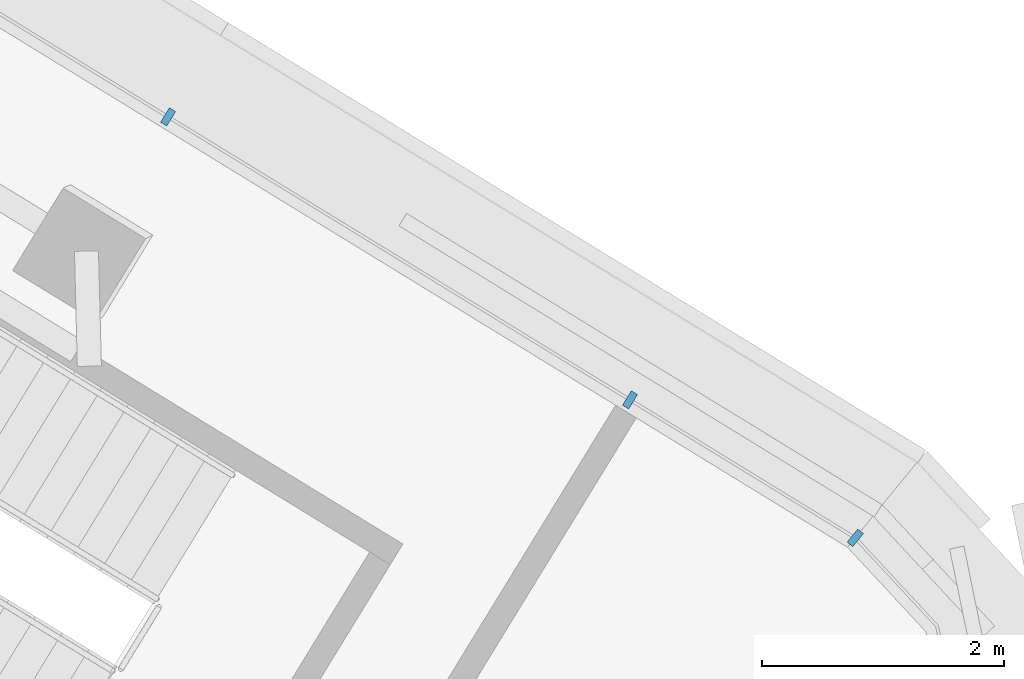
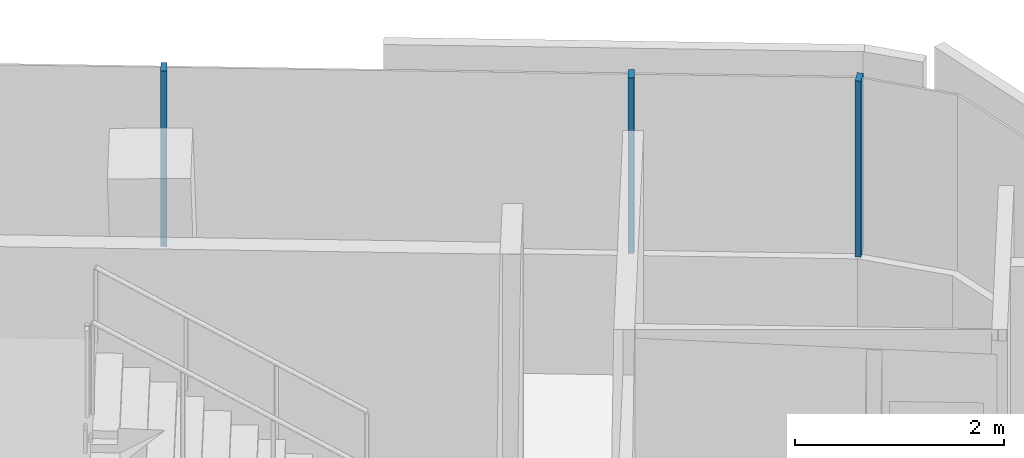
# One storey, part 14 of 27: 3 members, 1 element without a shape of its own.
"""IFC4 building model written with IfcOpenShell, lengths in metres."""

from ifc_helpers import new_model, si_unit, direction, frame, origin, origin_2d, place, context, subcontext, project, spatial, rectangle, extrude, material, layer, layer_set, material_profile, profile_set, type_object, element, aggregate, save


model = new_model("IFC4")

# Units and contexts
model_context = context("Model", 3, precision=1e-05, world=origin(), true_north=direction((0.0, 1.0)))
body_context = subcontext(model_context, "Body", "Model", "MODEL_VIEW")
ifc_project = project(units=[si_unit("LENGTHUNIT", "METRE"), si_unit("AREAUNIT", "SQUARE_METRE"), si_unit("VOLUMEUNIT", "CUBIC_METRE"), si_unit("PLANEANGLEUNIT", "RADIAN"), si_unit("MASSUNIT", "GRAM", prefix="KILO")], contexts=[model_context])

# Site, building, storey
site_placement = place(None, origin())
site = spatial("IfcSite", under=ifc_project, at=site_placement, CompositionType="ELEMENT")
building_placement = place(site_placement, origin())
building = spatial("IfcBuilding", under=site, at=building_placement, Name="Tamarind Cross Interchange Tower", CompositionType="ELEMENT")
storey_placement = place(building_placement, frame((0.0, 0.0, 245.10009765625)))
storey = spatial("IfcBuildingStorey", under=building, at=storey_placement, Name="L62", CompositionType="ELEMENT", Elevation=245.10009765625)

# Curtain wall, members
ifc_material = material(Name="Aluminium 6063-T6", Category="aluminium")
ifc_layer = layer(ifc_material, 0.139892578125)
ifc_layer_set = layer_set([ifc_layer], Name="Aluminium 6063-T6")
curtain_wall_type = type_object("IfcCurtainWallType", Name="Hotel curtain wall, 4.5 m bays", PredefinedType="NOTDEFINED", material=ifc_layer_set)
curtain_wall_placement = place(storey_placement, origin())
curtain_wall = element("IfcCurtainWall", 1, at=curtain_wall_placement, inside=storey, type_object=curtain_wall_type, Name="CWS-L62-07", PredefinedType="NOTDEFINED")
ifc_material_profile = material_profile(ifc_material, rectangle(XDim=0.06005859375, YDim=0.139892578125, at=origin_2d()), Name="Mullion CW2")
ifc_profile_set = profile_set([ifc_material_profile], Name="Aluminium 6063-T6")
member_type = type_object("IfcMemberType", Name="Mullion CW2", PredefinedType="MULLION", material=ifc_profile_set)
member_1_placement = place(storey_placement, frame((2.159423828125, 28.651611328125, 1.39990234375), z_axis=(0.0, 0.0, 1.0), x_axis=(-0.773678060216, 0.633578928896, 0.0)))
member_1 = element("IfcMember", 2, at=member_1_placement, type_object=member_type, Name="CWM-L62-07-00", PredefinedType="MULLION", context=body_context, shape_type="SweptSolid", body=[
    extrude(rectangle(XDim=0.06005859375, YDim=0.139892578125, at=origin_2d()), origin(), (0.0, 0.0, 1.0), 2.06005859375),
])
member_2_placement = place(storey_placement, frame((0.294677734375, 29.7939453125, 1.39990234375), z_axis=(0.0, 0.0, 1.0), x_axis=(-0.852720404316, 0.522367602426, 0.0)))
member_2 = element("IfcMember", 3, at=member_2_placement, type_object=member_type, Name="CWM-L62-07-01", PredefinedType="MULLION", context=body_context, shape_type="SweptSolid", body=[
    extrude(rectangle(XDim=0.06005859375, YDim=0.139892578125, at=origin_2d()), origin(), (0.0, 0.0, 1.0), 2.06005859375),
])
member_3_placement = place(storey_placement, frame((-3.529052734375, 32.136474609375, 1.39990234375), z_axis=(0.0, 0.0, 1.0), x_axis=(-0.852720404316, 0.522367602426, 0.0)))
member_3 = element("IfcMember", 4, at=member_3_placement, type_object=member_type, Name="CWM-L62-07-02", PredefinedType="MULLION", context=body_context, shape_type="SweptSolid", body=[
    extrude(rectangle(XDim=0.06005859375, YDim=0.139892578125, at=origin_2d()), origin(), (0.0, 0.0, 1.0), 2.06005859375),
])
aggregate(curtain_wall, [member_1, member_2, member_3])

save(model, "model.ifc")
